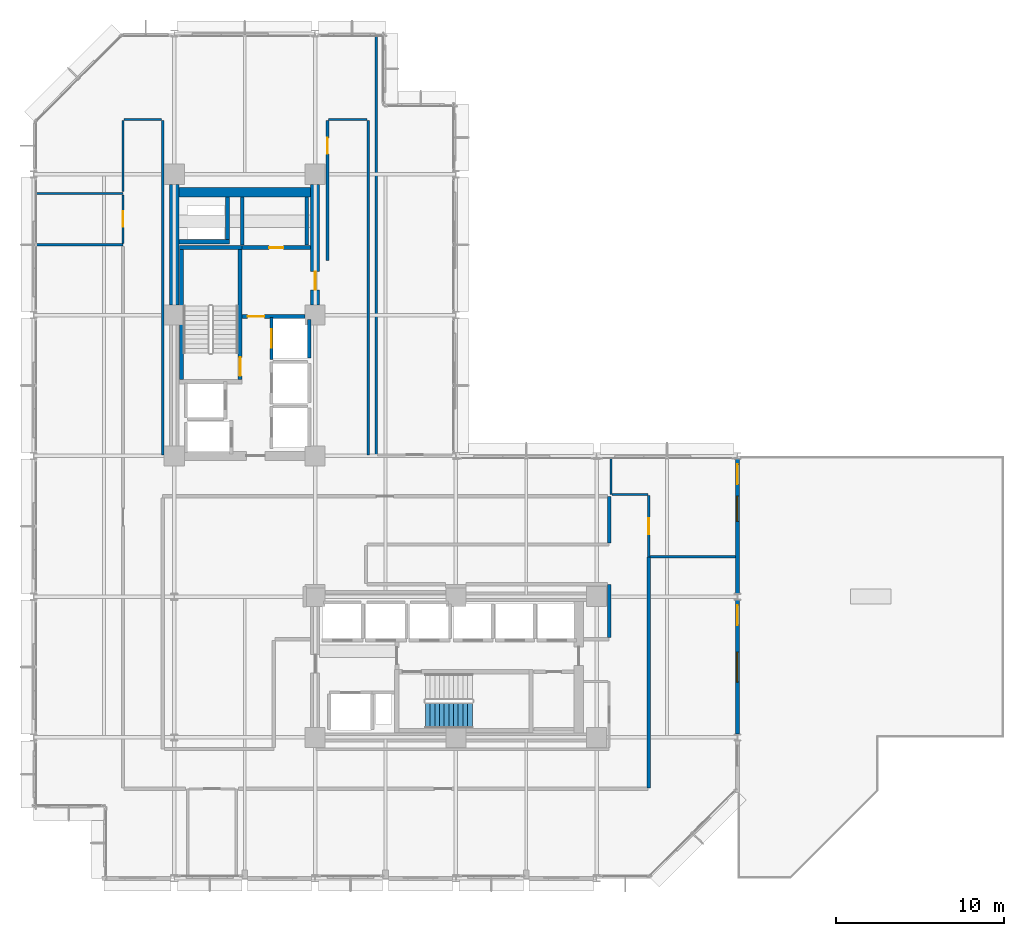
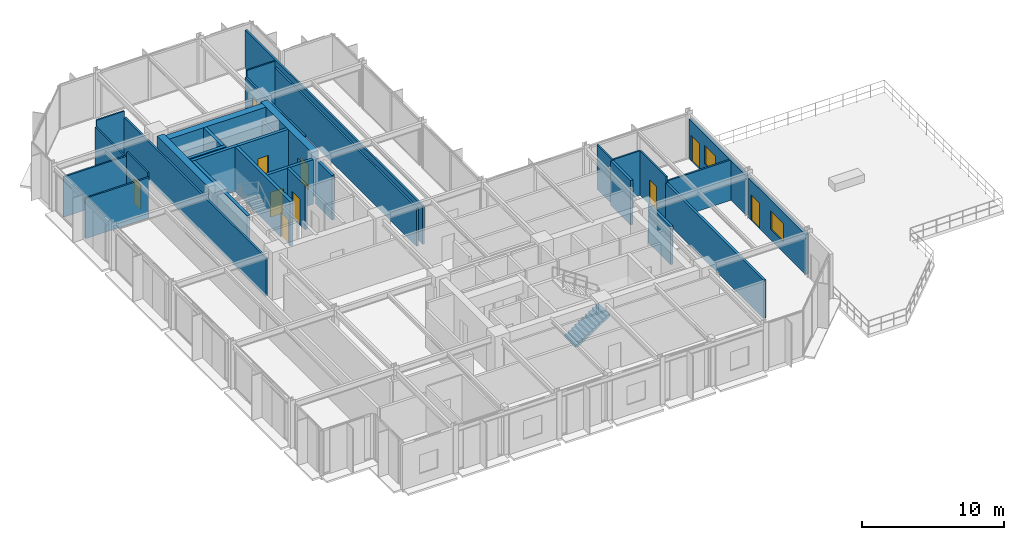
# One storey, part 20 of 25: 33 walls, 10 doors, 2 windows, 1 stair flight, 12 openings, 1 element without a shape of its own.
"""IFC4 building model written with IfcOpenShell, lengths in metres."""

from ifc_helpers import new_model, si_unit, direction, frame, frame_2d, origin, place, context, subcontext, project, spatial, polyline, rectangle, outline, extrude, material, layer, layer_set, type_object, element, fill, aggregate, save


model = new_model("IFC4")

# Units and contexts
model_context = context("Model", 3, precision=1e-05, world=origin(), true_north=direction((0.0, 1.0)))
body_context = subcontext(model_context, "Body", "Model", "MODEL_VIEW")
ifc_project = project(units=[si_unit("LENGTHUNIT", "METRE"), si_unit("AREAUNIT", "SQUARE_METRE"), si_unit("VOLUMEUNIT", "CUBIC_METRE"), si_unit("PLANEANGLEUNIT", "RADIAN"), si_unit("MASSUNIT", "GRAM", prefix="KILO")], contexts=[model_context])

# Site, building, storey
site_placement = place(None, origin())
site = spatial("IfcSite", under=ifc_project, at=site_placement, CompositionType="ELEMENT")
building_placement = place(site_placement, origin())
building = spatial("IfcBuilding", under=site, at=building_placement, Name="Nerrivon Quay Data Exchange", CompositionType="ELEMENT")
storey_placement = place(building_placement, frame((0.0, 0.0, 113.10009765625)))
storey = spatial("IfcBuildingStorey", under=building, at=storey_placement, Name="L26", CompositionType="ELEMENT", Elevation=113.10009765625)

# Wall, openings, door, window
ifc_material_1 = material(Name="Architectural terracotta precast concrete N50 (50 MPa)", Category="masonry")
ifc_layer_1 = layer(ifc_material_1, 0.239990234375)
ifc_layer_set_1 = layer_set([ifc_layer_1], Name="Architectural terracotta precast concrete N50 (50 MPa)")
wall_type_1 = type_object("IfcWallType", Name="EW-PREC-240", PredefinedType="STANDARD", material=ifc_layer_set_1)
wall_1_placement = place(storey_placement, frame((42.0, 25.0, 0.0), z_axis=(0.0, 0.0, 1.0), x_axis=(0.0, -1.0, 0.0)))
wall_1 = element("IfcWall", 1, at=wall_1_placement, inside=storey, type_object=wall_type_1, Name="L26 Terrace Host Wall 29", PredefinedType="STANDARD", context=body_context, shape_type="SweptSolid", body=[
    extrude(rectangle(XDim=8.0, YDim=0.239990234375, at=frame_2d((4.0, 0.0))), origin(), (0.0, 0.0, 1.0), 3.421875),
])
opening_1_placement = place(wall_1_placement, frame((0.300048828125, 0.0, 0.0)))
opening_1 = element("IfcOpeningElement", 2, at=opening_1_placement, cuts=wall_1, Name="Opening TD1", PredefinedType="OPENING", context=body_context, shape_type="SweptSolid", body=[
    extrude(rectangle(XDim=1.199951171875, YDim=2.199951171875, at=frame_2d((0.60009765625, 1.10009765625))), frame((0.0, 0.1298828125, 0.0), z_axis=(0.0, -1.0, 0.0), x_axis=(1.0, 0.0, 0.0)), (0.0, 0.0, 1.0), 0.260009765625),
])
opening_2_placement = place(wall_1_placement, frame((2.20703125, 0.0, 0.89990234375)))
opening_2 = element("IfcOpeningElement", 3, at=opening_2_placement, cuts=wall_1, Name="Opening WN4", PredefinedType="OPENING", context=body_context, shape_type="SweptSolid", body=[
    extrude(rectangle(XDim=1.5, YDim=1.60009765625, at=frame_2d((0.75, 0.800048828125))), frame((0.0, 0.1298828125, 0.0), z_axis=(0.0, -1.0, 0.0), x_axis=(1.0, 0.0, 0.0)), (0.0, 0.0, 1.0), 0.260009765625),
])
ifc_material_2 = material(Name="Double-glazed low-E solar control glass", Category="glass")
door_type_1 = type_object("IfcDoorType", Name="DR-TERR-1200x2200", OperationType="NOTDEFINED", PredefinedType="DOOR", material=ifc_material_2)
door_1_placement = place(opening_1_placement, origin())
door_1 = element("IfcDoor", 4, at=door_1_placement, inside=storey, type_object=door_type_1, Name="L26 Outdoor Terrace Access Door 29", OperationType="SINGLE_SWING_RIGHT", OverallHeight=2.199951171875, OverallWidth=1.199951171875, PredefinedType="DOOR", context=body_context, shape_type="SweptSolid", body=[
    extrude(rectangle(XDim=1.199951171875, YDim=2.199951171875, at=frame_2d((0.60009765625, 1.10009765625))), frame((0.0, 0.02490234375, 0.0), z_axis=(0.0, -1.0, 0.0), x_axis=(1.0, 0.0, 0.0)), (0.0, 0.0, 1.0), 0.050048828125),
])
fill(opening_1, door_1)
window_type_1 = type_object("IfcWindowType", Name="WIN-W4-1500x1600", PartitioningType="SINGLE_PANEL", PredefinedType="WINDOW", material=ifc_material_2)
window_1_placement = place(opening_2_placement, origin())
window_1 = element("IfcWindow", 5, at=window_1_placement, inside=storey, type_object=window_type_1, Name="L26 Terrace Side Window 29", OverallHeight=1.60009765625, OverallWidth=1.5, PartitioningType="SINGLE_PANEL", PredefinedType="WINDOW", context=body_context, shape_type="SweptSolid", body=[
    extrude(rectangle(XDim=1.5, YDim=1.60009765625, at=frame_2d((0.75, 0.800048828125))), frame((0.0, 0.030029296875, 0.0), z_axis=(0.0, -1.0, 0.0), x_axis=(1.0, 0.0, 0.0)), (0.0, 0.0, 1.0), 0.06005859375),
])
fill(opening_2, window_1)

wall_2_placement = place(storey_placement, frame((42.0, 16.60009765625, 0.0), z_axis=(0.0, 0.0, 1.0), x_axis=(0.0, -1.0, 0.0)))
wall_2 = element("IfcWall", 6, at=wall_2_placement, inside=storey, type_object=wall_type_1, Name="L26 Terrace Host Wall 30", PredefinedType="STANDARD", context=body_context, shape_type="SweptSolid", body=[
    extrude(rectangle(XDim=8.0, YDim=0.239990234375, at=frame_2d((4.0, 0.0))), origin(), (0.0, 0.0, 1.0), 3.421875),
])
opening_3_placement = place(wall_2_placement, frame((0.300048828125, 0.0, 0.0)))
opening_3 = element("IfcOpeningElement", 7, at=opening_3_placement, cuts=wall_2, Name="Opening TD1", PredefinedType="OPENING", context=body_context, shape_type="SweptSolid", body=[
    extrude(rectangle(XDim=1.199951171875, YDim=2.199951171875, at=frame_2d((0.60009765625, 1.10009765625))), frame((0.0, 0.1298828125, 0.0), z_axis=(0.0, -1.0, 0.0), x_axis=(1.0, 0.0, 0.0)), (0.0, 0.0, 1.0), 0.260009765625),
])
opening_4_placement = place(wall_2_placement, frame((3.10009765625, 0.0, 0.89990234375)))
opening_4 = element("IfcOpeningElement", 8, at=opening_4_placement, cuts=wall_2, Name="Opening WN2", PredefinedType="OPENING", context=body_context, shape_type="SweptSolid", body=[
    extrude(rectangle(XDim=1.800048828125, YDim=1.60009765625, at=frame_2d((0.89990234375, 0.800048828125))), frame((0.0, 0.1298828125, 0.0), z_axis=(0.0, -1.0, 0.0), x_axis=(1.0, 0.0, 0.0)), (0.0, 0.0, 1.0), 0.260009765625),
])
door_2_placement = place(opening_3_placement, origin())
door_2 = element("IfcDoor", 9, at=door_2_placement, inside=storey, type_object=door_type_1, Name="L26 Outdoor Terrace Access Door 30", OperationType="SINGLE_SWING_LEFT", OverallHeight=2.199951171875, OverallWidth=1.199951171875, PredefinedType="DOOR", context=body_context, shape_type="SweptSolid", body=[
    extrude(rectangle(XDim=1.199951171875, YDim=2.199951171875, at=frame_2d((0.60009765625, 1.10009765625))), frame((0.0, 0.02490234375, 0.0), z_axis=(0.0, -1.0, 0.0), x_axis=(1.0, 0.0, 0.0)), (0.0, 0.0, 1.0), 0.050048828125),
])
fill(opening_3, door_2)
window_type_2 = type_object("IfcWindowType", Name="WIN-W2-1800x1600", PartitioningType="SINGLE_PANEL", PredefinedType="WINDOW", material=ifc_material_2)
window_2_placement = place(opening_4_placement, origin())
window_2 = element("IfcWindow", 10, at=window_2_placement, inside=storey, type_object=window_type_2, Name="L26 Terrace Side Window 30", OverallHeight=1.60009765625, OverallWidth=1.800048828125, PartitioningType="SINGLE_PANEL", PredefinedType="WINDOW", context=body_context, shape_type="SweptSolid", body=[
    extrude(rectangle(XDim=1.800048828125, YDim=1.60009765625, at=frame_2d((0.89990234375, 0.800048828125))), frame((0.0, 0.030029296875, 0.0), z_axis=(0.0, -1.0, 0.0), x_axis=(1.0, 0.0, 0.0)), (0.0, 0.0, 1.0), 0.06005859375),
])
fill(opening_4, window_2)

# Walls
ifc_material_3 = material(Name="Concrete S65 (65 MPa)", Category="concrete")
ifc_layer_2 = layer(ifc_material_3, 0.550048828125)
ifc_layer_set_2 = layer_set([ifc_layer_2], Name="Concrete S65 (65 MPa)")
wall_type_2 = type_object("IfcWallType", Name="WALL-CW-700", PredefinedType="SHEAR", material=ifc_layer_set_2)
wall_3_placement = place(storey_placement, frame((8.39990234375, 34.199951171875, 0.0), z_axis=(0.0, 0.0, 1.0), x_axis=(0.0, 1.0, 0.0)))
element("IfcWall", 11, at=wall_3_placement, inside=storey, type_object=wall_type_2, Name="L26 West Split-Core Shear Wall WCW-W2", PredefinedType="SHEAR", context=body_context, shape_type="SweptSolid", body=[
    extrude(rectangle(XDim=7.199951171875, YDim=0.550048828125, at=frame_2d((3.60009765625, 0.0))), origin(), (0.0, 0.0, 1.0), 3.824951171875),
])
wall_4_placement = place(storey_placement, frame((8.675048828125, 40.925048828125, 0.0), z_axis=(0.0, 0.0, 1.0), x_axis=(1.0, 0.0, 0.0)))
element("IfcWall", 12, at=wall_4_placement, inside=storey, type_object=wall_type_2, Name="L26 West Split-Core Shear Wall WCW-N1", PredefinedType="SHEAR", context=body_context, shape_type="SweptSolid", body=[
    extrude(rectangle(XDim=7.849853515625, YDim=0.550048828125, at=frame_2d((3.9248046875, 0.0))), origin(), (0.0, 0.0, 1.0), 3.824951171875),
])

# Wall, opening, door
wall_5_placement = place(storey_placement, frame((16.800048828125, 34.199951171875, 0.0), z_axis=(0.0, 0.0, 1.0), x_axis=(0.0, 1.0, 0.0)))
wall_5 = element("IfcWall", 13, at=wall_5_placement, inside=storey, type_object=wall_type_2, Name="L26 West Split-Core Shear Wall WCW-E1", PredefinedType="SHEAR", context=body_context, shape_type="SweptSolid", body=[
    extrude(rectangle(XDim=7.199951171875, YDim=0.550048828125, at=frame_2d((3.60009765625, 0.0))), origin(), (0.0, 0.0, 1.0), 3.824951171875),
])
opening_5_placement = place(wall_5_placement, frame((0.89990234375, 0.0, 0.0)))
opening_5 = element("IfcOpeningElement", 14, at=opening_5_placement, cuts=wall_5, Name="Opening FD-120", PredefinedType="OPENING", context=body_context, shape_type="SweptSolid", body=[
    extrude(rectangle(XDim=1.10009765625, YDim=2.14990234375, at=frame_2d((0.550048828125, 1.074951171875))), frame((0.0, 0.284912109375, 0.0), z_axis=(0.0, -1.0, 0.0), x_axis=(1.0, 0.0, 0.0)), (0.0, 0.0, 1.0), 0.570068359375),
])
ifc_material_4 = material(Name="Powder-coated galvanized steel sheet", Category="steel")
door_type_2 = type_object("IfcDoorType", Name="DR-FD120-1100", OperationType="NOTDEFINED", PredefinedType="DOOR", material=ifc_material_4)
door_3_placement = place(opening_5_placement, origin())
door_3 = element("IfcDoor", 15, at=door_3_placement, inside=storey, type_object=door_type_2, Name="L26 West Core Lobby Fire Door", OperationType="SINGLE_SWING_LEFT", OverallHeight=2.14990234375, OverallWidth=1.10009765625, PredefinedType="DOOR", context=body_context, shape_type="SweptSolid", body=[
    extrude(rectangle(XDim=1.10009765625, YDim=2.14990234375, at=frame_2d((0.550048828125, 1.074951171875))), frame((0.0, 0.02490234375, 0.0), z_axis=(0.0, -1.0, 0.0), x_axis=(1.0, 0.0, 0.0)), (0.0, 0.0, 1.0), 0.050048828125),
])
fill(opening_5, door_3)

ifc_material_5 = material(Name="Gypsum plasterboard on cold-formed framing", Category="gypsum")
ifc_layer_3 = layer(ifc_material_5, 0.199951171875)
ifc_layer_set_3 = layer_set([ifc_layer_3], Name="Gypsum plasterboard on cold-formed framing")
wall_type_3 = type_object("IfcWallType", Name="WALL-FW-200", PredefinedType="PARTITIONING", material=ifc_layer_set_3)
wall_6_placement = place(storey_placement, frame((14.199951171875, 30.949951171875, 0.0), z_axis=(0.0, 0.0, 1.0), x_axis=(0.0, 1.0, 0.0)))
wall_6 = element("IfcWall", 16, at=wall_6_placement, inside=storey, type_object=wall_type_3, Name="L26 Lift Front Wall PL3", PredefinedType="PARTITIONING", context=body_context, shape_type="SweptSolid", body=[
    extrude(rectangle(XDim=2.5, YDim=0.199951171875, at=frame_2d((1.25, 0.0))), origin(), (0.0, 0.0, 1.0), 3.824951171875),
])
opening_6_placement = place(wall_6_placement, frame((0.699951171875, 0.0, 0.0)))
opening_6 = element("IfcOpeningElement", 17, at=opening_6_placement, cuts=wall_6, Name="Opening LD-120", PredefinedType="OPENING", context=body_context, shape_type="SweptSolid", body=[
    extrude(rectangle(XDim=1.10009765625, YDim=2.199951171875, at=frame_2d((0.550048828125, 1.10009765625))), frame((0.0, 0.10986328125, 0.0), z_axis=(0.0, -1.0, 0.0), x_axis=(1.0, 0.0, 0.0)), (0.0, 0.0, 1.0), 0.219970703125),
])
door_type_3 = type_object("IfcDoorType", Name="DR-LIFT-LD120", OperationType="DOUBLE_DOOR_SLIDING", PredefinedType="DOOR", material=ifc_material_4)
door_4_placement = place(opening_6_placement, origin())
door_4 = element("IfcDoor", 18, at=door_4_placement, inside=storey, type_object=door_type_3, Name="L26 Lift Landing Sliding Door PL3", OperationType="DOUBLE_DOOR_SLIDING", OverallHeight=2.199951171875, OverallWidth=1.10009765625, PredefinedType="DOOR", context=body_context, shape_type="SweptSolid", body=[
    extrude(rectangle(XDim=1.10009765625, YDim=2.199951171875, at=frame_2d((0.550048828125, 1.10009765625))), frame((0.0, 0.02490234375, 0.0), z_axis=(0.0, -1.0, 0.0), x_axis=(1.0, 0.0, 0.0)), (0.0, 0.0, 1.0), 0.050048828125),
])
fill(opening_6, door_4)

# Walls
wall_7_placement = place(storey_placement, frame((16.449951171875, 31.050048828125, 0.0), z_axis=(0.0, 0.0, 1.0), x_axis=(0.0, 1.0, 0.0)))
element("IfcWall", 19, at=wall_7_placement, inside=storey, type_object=wall_type_3, Name="L26 Lift Shaft Wall PL3 EAST", PredefinedType="PARTITIONING", context=body_context, shape_type="SweptSolid", body=[
    extrude(rectangle(XDim=2.300048828125, YDim=0.199951171875, at=frame_2d((1.14990234375, 0.0))), origin(), (0.0, 0.0, 1.0), 3.824951171875),
])
for number, where, z_axis, x_axis, name in (
    (20, (16.300048828125, 37.780029296875, 0.0), (0.0, 0.0, 1.0), (0.0, 1.0, 0.0), "L26 Partition Cleaners Store"),
    (21, (12.449951171875, 40.64599609375, 0.0), (0.0, 0.0, 1.0), (0.0, -1.0, 0.0), "L26 Partition Cleaners Store"),
):
    element("IfcWall", number, at=place(storey_placement, frame(where, z_axis=z_axis, x_axis=x_axis)), inside=storey, type_object=wall_type_3, Name=name, PredefinedType="PARTITIONING", context=body_context, shape_type="SweptSolid", body=[
        extrude(rectangle(XDim=2.865966796875, YDim=0.199951171875, at=frame_2d((1.43310546875, 0.0))), origin(), (0.0, 0.0, 1.0), 2.724853515625),
    ])
wall_8_placement = place(storey_placement, frame((34.340087890625, 14.364013671875, 0.0), z_axis=(0.0, 0.0, 1.0), x_axis=(0.0, 1.0, 0.0)))
element("IfcWall", 22, at=wall_8_placement, inside=storey, type_object=wall_type_3, Name="L26 Partition Colocation Data Workspace 1", PredefinedType="PARTITIONING", context=body_context, shape_type="SweptSolid", body=[
    extrude(rectangle(XDim=3.176025390625, YDim=0.199951171875, at=frame_2d((1.587890625, 0.0))), origin(), (0.0, 0.0, 1.0), 3.2919921875),
])
wall_9_placement = place(storey_placement, frame((34.340087890625, 20.013916015625, 0.0), z_axis=(0.0, 0.0, 1.0), x_axis=(0.0, 1.0, 0.0)))
element("IfcWall", 23, at=wall_9_placement, inside=storey, type_object=wall_type_3, Name="L26 Partition Colocation Data Workspace 1", PredefinedType="PARTITIONING", context=body_context, shape_type="SweptSolid", body=[
    extrude(rectangle(XDim=2.776123046875, YDim=0.199951171875, at=frame_2d((1.38818359375, 0.0))), origin(), (0.0, 0.0, 1.0), 3.824951171875),
])
wall_10_placement = place(storey_placement, frame((36.7099609375, 19.156005859375, 0.0), z_axis=(0.0, 0.0, 1.0), x_axis=(0.0, -1.0, 0.0)))
element("IfcWall", 24, at=wall_10_placement, inside=storey, type_object=wall_type_3, Name="L26 Partition Sky Lobby Transfer Concourse", PredefinedType="PARTITIONING", context=body_context, shape_type="SweptSolid", body=[
    extrude(rectangle(XDim=13.756103515625, YDim=0.199951171875, at=frame_2d((6.8779296875, 0.0))), origin(), (0.0, 0.0, 1.0), 3.2919921875),
])

# Wall, opening, door
ifc_layer_4 = layer(ifc_material_5, 0.1201171875)
ifc_layer_set_4 = layer_set([ifc_layer_4], Name="Gypsum plasterboard on cold-formed framing")
wall_type_4 = type_object("IfcWallType", Name="WALL-PT-120", PredefinedType="PARTITIONING", material=ifc_layer_set_4)
wall_11_placement = place(storey_placement, frame((5.340087890625, 37.87158203125, 0.0), z_axis=(0.0, 0.0, 1.0), x_axis=(0.0, 1.0, 0.0)))
wall_11 = element("IfcWall", 25, at=wall_11_placement, inside=storey, type_object=wall_type_4, Name="L26 Partition Accessible Toilet", PredefinedType="PARTITIONING", context=body_context, shape_type="SweptSolid", body=[
    extrude(rectangle(XDim=2.906982421875, YDim=0.1201171875, at=frame_2d((1.45361328125, 0.0))), origin(), (0.0, 0.0, 1.0), 3.824951171875),
])
opening_7_placement = place(wall_11_placement, frame((0.993408203125, 0.0, 0.0)))
opening_7 = element("IfcOpeningElement", 26, at=opening_7_placement, cuts=wall_11, Name="Opening D-WC", PredefinedType="OPENING", context=body_context, shape_type="SweptSolid", body=[
    extrude(rectangle(XDim=0.919921875, YDim=2.10009765625, at=frame_2d((0.4599609375, 1.050048828125))), frame((0.0, 0.070068359375, 0.0), z_axis=(0.0, -1.0, 0.0), x_axis=(1.0, 0.0, 0.0)), (0.0, 0.0, 1.0), 0.14013671875),
])
ifc_material_6 = material(Name="Engineered hardwood timber", Category="wood")
door_type_4 = type_object("IfcDoorType", Name="DR-WC-920", OperationType="NOTDEFINED", PredefinedType="DOOR", material=ifc_material_6)
door_5_placement = place(opening_7_placement, origin())
door_5 = element("IfcDoor", 27, at=door_5_placement, inside=storey, type_object=door_type_4, Name="L26 Door Accessible Toilet", OperationType="SINGLE_SWING_LEFT", OverallHeight=2.10009765625, OverallWidth=0.919921875, PredefinedType="DOOR", context=body_context, shape_type="SweptSolid", body=[
    extrude(rectangle(XDim=0.919921875, YDim=2.10009765625, at=frame_2d((0.4599609375, 1.050048828125))), frame((0.0, 0.02490234375, 0.0), z_axis=(0.0, -1.0, 0.0), x_axis=(1.0, 0.0, 0.0)), (0.0, 0.0, 1.0), 0.050048828125),
])
fill(opening_7, door_5)

# Walls
wall_12_placement = place(storey_placement, frame((34.4599609375, 25.031005859375, 0.0), z_axis=(0.0, 0.0, 1.0), x_axis=(0.0, -1.0, 0.0)))
element("IfcWall", 28, at=wall_12_placement, inside=storey, type_object=wall_type_4, Name="L26 Partition Staff Bistro", PredefinedType="PARTITIONING", context=body_context, shape_type="SweptSolid", body=[
    extrude(rectangle(XDim=2.12109375, YDim=0.1201171875, at=frame_2d((1.060546875, 0.0))), origin(), (0.0, 0.0, 1.0), 3.824951171875),
])
wall_13_placement = place(storey_placement, frame((34.52392578125, 22.909912109375, 0.0), z_axis=(0.0, 0.0, 1.0), x_axis=(1.0, 0.0, 0.0)))
element("IfcWall", 29, at=wall_13_placement, inside=storey, type_object=wall_type_4, Name="L26 Partition Staff Bistro", PredefinedType="PARTITIONING", context=body_context, shape_type="SweptSolid", body=[
    extrude(rectangle(XDim=2.1259765625, YDim=0.1201171875, at=frame_2d((1.06298828125, 0.0))), origin(), (0.0, 0.0, 1.0), 3.824951171875),
])
wall_14_placement = place(storey_placement, frame((5.39990234375, 45.260009765625, 0.0), z_axis=(0.0, 0.0, 1.0), x_axis=(1.0, 0.0, 0.0)))
element("IfcWall", 30, at=wall_14_placement, inside=storey, type_object=wall_type_4, Name="L26 Partition Technical Library", PredefinedType="PARTITIONING", context=body_context, shape_type="SweptSolid", body=[
    extrude(rectangle(XDim=2.25, YDim=0.1201171875, at=frame_2d((1.125, 0.0))), origin(), (0.0, 0.0, 1.0), 3.824951171875),
])
wall_15_placement = place(storey_placement, frame((17.60009765625, 45.260009765625, 0.0), z_axis=(0.0, 0.0, 1.0), x_axis=(0.999999994395, -0.000105876124, 0.0)))
element("IfcWall", 31, at=wall_15_placement, inside=storey, type_object=wall_type_4, Name="L26 Partition Technical Library", PredefinedType="PARTITIONING", context=body_context, shape_type="SweptSolid", body=[
    extrude(rectangle(XDim=2.305908203125, YDim=0.1201171875, at=frame_2d((1.15283203125, 0.0))), origin(), (0.0, 0.0, 1.0), 3.824951171875),
])
ifc_layer_5 = layer(ifc_material_5, 0.135009765625)
ifc_layer_set_5 = layer_set([ifc_layer_5], Name="Gypsum plasterboard on cold-formed framing")
wall_type_5 = type_object("IfcWallType", Name="WALL-PT-135", PredefinedType="PARTITIONING", material=ifc_layer_set_5)
for number, where, z_axis, x_axis, name in (
    (32, (5.340087890625, 40.85009765625, 0.0), (0.0, 0.0, 1.0), (-1.0, 0.0, 0.0), "L26 Partition Accessible Toilet"),
    (33, (0.1689453125, 37.800048828125, 0.0), (0.0, 0.0, 1.0), (1.0, 0.0, 0.0), "L26 Partition Accessible Toilet"),
):
    element("IfcWall", number, at=place(storey_placement, frame(where, z_axis=z_axis, x_axis=x_axis)), inside=storey, type_object=wall_type_5, Name=name, PredefinedType="PARTITIONING", context=body_context, shape_type="SweptSolid", body=[
        extrude(rectangle(XDim=5.171142578125, YDim=0.135009765625, at=frame_2d((2.58544921875, 0.0))), origin(), (0.0, 0.0, 1.0), 3.468994140625),
    ])

# Wall, opening, door
wall_16_placement = place(storey_placement, frame((36.7099609375, 22.85009765625, 0.0), z_axis=(0.0, 0.0, 1.0), x_axis=(0.0, -1.0, 0.0)))
wall_16 = element("IfcWall", 34, at=wall_16_placement, inside=storey, type_object=wall_type_5, Name="L26 Partition Staff Bistro", PredefinedType="PARTITIONING", context=body_context, shape_type="SweptSolid", body=[
    extrude(rectangle(XDim=3.674072265625, YDim=0.135009765625, at=frame_2d((1.8369140625, 0.0))), origin(), (0.0, 0.0, 1.0), 3.824951171875),
])
opening_8_placement = place(wall_16_placement, frame((1.362060546875, 0.0, 0.0)))
opening_8 = element("IfcOpeningElement", 35, at=opening_8_placement, cuts=wall_16, Name="Opening D-01", PredefinedType="OPENING", context=body_context, shape_type="SweptSolid", body=[
    extrude(rectangle(XDim=0.949951171875, YDim=2.14990234375, at=frame_2d((0.47509765625, 1.074951171875))), frame((0.0, 0.077392578125, 0.0), z_axis=(0.0, -1.0, 0.0), x_axis=(1.0, 0.0, 0.0)), (0.0, 0.0, 1.0), 0.155029296875),
])
door_type_5 = type_object("IfcDoorType", Name="DR-INT-950", OperationType="NOTDEFINED", PredefinedType="DOOR", material=ifc_material_6)
door_6_placement = place(opening_8_placement, origin())
door_6 = element("IfcDoor", 36, at=door_6_placement, inside=storey, type_object=door_type_5, Name="L26 Door Staff Bistro", OperationType="SINGLE_SWING_RIGHT", OverallHeight=2.14990234375, OverallWidth=0.949951171875, PredefinedType="DOOR", context=body_context, shape_type="SweptSolid", body=[
    extrude(rectangle(XDim=0.949951171875, YDim=2.14990234375, at=frame_2d((0.47509765625, 1.074951171875))), frame((0.0, 0.02490234375, 0.0), z_axis=(0.0, -1.0, 0.0), x_axis=(1.0, 0.0, 0.0)), (0.0, 0.0, 1.0), 0.050048828125),
])
fill(opening_8, door_6)

# Walls
wall_17_placement = place(storey_placement, frame((36.781494140625, 19.176025390625, 0.0), z_axis=(0.0, 0.0, 1.0), x_axis=(1.0, 0.0, 0.0)))
element("IfcWall", 37, at=wall_17_placement, inside=storey, type_object=wall_type_5, Name="L26 Partition Staff Bistro", PredefinedType="PARTITIONING", context=body_context, shape_type="SweptSolid", body=[
    extrude(rectangle(XDim=5.094482421875, YDim=0.135009765625, at=frame_2d((2.54736328125, 0.0))), origin(), (0.0, 0.0, 1.0), 3.468994140625),
])
wall_18_placement = place(storey_placement, frame((5.340087890625, 40.969970703125, 0.0), z_axis=(0.0, 0.0, 1.0), x_axis=(0.0, 1.0, 0.0)))
element("IfcWall", 38, at=wall_18_placement, inside=storey, type_object=wall_type_5, Name="L26 Partition Technical Library", PredefinedType="PARTITIONING", context=body_context, shape_type="SweptSolid", body=[
    extrude(rectangle(XDim=4.22998046875, YDim=0.135009765625, at=frame_2d((2.114990234375, 0.0))), origin(), (0.0, 0.0, 1.0), 3.2919921875),
])
ifc_layer_6 = layer(ifc_material_5, 0.14990234375)
ifc_layer_set_6 = layer_set([ifc_layer_6], Name="Gypsum plasterboard on cold-formed framing")
wall_type_6 = type_object("IfcWallType", Name="WALL-PT-150", PredefinedType="PARTITIONING", material=ifc_layer_set_6)
wall_19_placement = place(storey_placement, frame((20.451171875, 50.23095703125, 0.0), z_axis=(0.0, 0.0, 1.0), x_axis=(0.0, -1.0, 0.0)))
element("IfcWall", 39, at=wall_19_placement, inside=storey, type_object=wall_type_6, Name="L26 Partition Staff Bistro", PredefinedType="PARTITIONING", context=body_context, shape_type="SweptSolid", body=[
    extrude(rectangle(XDim=24.970947265625, YDim=0.14990234375, at=frame_2d((12.4853515625, 0.0))), origin(), (0.0, 0.0, 1.0), 3.2919921875),
])
for number, where, z_axis, x_axis, name in (
    (40, (19.9599609375, 45.199951171875, 0.0), (0.0, 0.0, 1.0), (0.0, -1.0, 0.0), "L26 Partition Technical Library"),
    (41, (7.7099609375, 45.199951171875, 0.0), (0.0, 0.0, 1.0), (0.0, -1.0, 0.0), "L26 Partition Technical Library"),
):
    element("IfcWall", number, at=place(storey_placement, frame(where, z_axis=z_axis, x_axis=x_axis)), inside=storey, type_object=wall_type_6, Name=name, PredefinedType="PARTITIONING", context=body_context, shape_type="SweptSolid", body=[
        extrude(rectangle(XDim=19.93994140625, YDim=0.14990234375, at=frame_2d((9.969970703125, 0.0))), origin(), (0.0, 0.0, 1.0), 3.2919921875),
    ])

# Wall, opening, door
wall_20_placement = place(storey_placement, frame((17.5400390625, 36.860107421875, 0.0), z_axis=(0.0, 0.0, 1.0), x_axis=(0.0, 1.0, 0.0)))
wall_20 = element("IfcWall", 42, at=wall_20_placement, inside=storey, type_object=wall_type_6, Name="L26 Partition Technical Library", PredefinedType="PARTITIONING", context=body_context, shape_type="SweptSolid", body=[
    extrude(rectangle(XDim=8.33984375, YDim=0.14990234375, at=frame_2d((4.169921875, 0.0))), origin(), (0.0, 0.0, 1.0), 3.2919921875),
])
opening_9_placement = place(wall_20_placement, frame((6.36376953125, 0.0, 0.0)))
opening_9 = element("IfcOpeningElement", 43, at=opening_9_placement, cuts=wall_20, Name="Opening D-01", PredefinedType="OPENING", context=body_context, shape_type="SweptSolid", body=[
    extrude(rectangle(XDim=0.949951171875, YDim=2.14990234375, at=frame_2d((0.47509765625, 1.074951171875))), frame((0.0, 0.0849609375, 0.0), z_axis=(0.0, -1.0, 0.0), x_axis=(1.0, 0.0, 0.0)), (0.0, 0.0, 1.0), 0.169921875),
])
door_7_placement = place(opening_9_placement, origin())
door_7 = element("IfcDoor", 44, at=door_7_placement, inside=storey, type_object=door_type_5, Name="L26 Door Technical Library", OperationType="SINGLE_SWING_RIGHT", OverallHeight=2.14990234375, OverallWidth=0.949951171875, PredefinedType="DOOR", context=body_context, shape_type="SweptSolid", body=[
    extrude(rectangle(XDim=0.949951171875, YDim=2.14990234375, at=frame_2d((0.47509765625, 1.074951171875))), frame((0.0, 0.02490234375, 0.0), z_axis=(0.0, -1.0, 0.0), x_axis=(1.0, 0.0, 0.0)), (0.0, 0.0, 1.0), 0.050048828125),
])
fill(opening_9, door_7)

# Wall
ifc_material_7 = material(Name="Concrete N50 (50 MPa)", Category="concrete")
ifc_layer_7 = layer(ifc_material_7, 0.25)
ifc_layer_set_7 = layer_set([ifc_layer_7], Name="Concrete N50 (50 MPa)")
wall_type_7 = type_object("IfcWallType", Name="WALL-SW-250", PredefinedType="SHEAR", material=ifc_layer_set_7)
wall_21_placement = place(storey_placement, frame((12.449951171875, 37.625, 0.0), z_axis=(0.0, 0.0, 1.0), x_axis=(-1.0, 0.0, 0.0)))
element("IfcWall", 45, at=wall_21_placement, inside=storey, type_object=wall_type_7, Name="L26 ST01 Structural Stair Core Wall FAR", PredefinedType="SHEAR", context=body_context, shape_type="SweptSolid", body=[
    extrude(rectangle(XDim=3.75, YDim=0.25, at=frame_2d((1.875, 0.0))), origin(), (0.0, 0.0, 1.0), 3.824951171875),
])

# Wall, opening, door
wall_22_placement = place(storey_placement, frame((12.324951171875, 29.75, 0.0), z_axis=(0.0, 0.0, 1.0), x_axis=(0.0, 1.0, 0.0)))
wall_22 = element("IfcWall", 46, at=wall_22_placement, inside=storey, type_object=wall_type_7, Name="L26 ST01 Structural Stair Core Wall LEFT", PredefinedType="SHEAR", context=body_context, shape_type="SweptSolid", body=[
    extrude(rectangle(XDim=7.75, YDim=0.25, at=frame_2d((3.875, 0.0))), origin(), (0.0, 0.0, 1.0), 3.824951171875),
])
opening_10_placement = place(wall_22_placement, frame((0.219970703125, 0.0, 0.0)))
opening_10 = element("IfcOpeningElement", 47, at=opening_10_placement, cuts=wall_22, Name="Opening FD-120", PredefinedType="OPENING", context=body_context, shape_type="SweptSolid", body=[
    extrude(rectangle(XDim=1.10009765625, YDim=2.14990234375, at=frame_2d((0.550048828125, 1.074951171875))), frame((0.0, 0.135009765625, 0.0), z_axis=(0.0, -1.0, 0.0), x_axis=(1.0, 0.0, 0.0)), (0.0, 0.0, 1.0), 0.27001953125),
])
door_8_placement = place(opening_10_placement, origin())
door_8 = element("IfcDoor", 48, at=door_8_placement, inside=storey, type_object=door_type_2, Name="L26 Protected Stair Door ST01", OperationType="SINGLE_SWING_LEFT", OverallHeight=2.14990234375, OverallWidth=1.10009765625, PredefinedType="DOOR", context=body_context, shape_type="SweptSolid", body=[
    extrude(rectangle(XDim=1.10009765625, YDim=2.14990234375, at=frame_2d((0.550048828125, 1.074951171875))), frame((0.0, 0.02490234375, 0.0), z_axis=(0.0, -1.0, 0.0), x_axis=(1.0, 0.0, 0.0)), (0.0, 0.0, 1.0), 0.050048828125),
])
fill(opening_10, door_8)

# Walls
wall_23_placement = place(storey_placement, frame((8.824951171875, 29.75, 0.0), z_axis=(0.0, 0.0, 1.0), x_axis=(0.0, 1.0, 0.0)))
element("IfcWall", 49, at=wall_23_placement, inside=storey, type_object=wall_type_7, Name="L26 ST01 Structural Stair Core Wall RIGHT", PredefinedType="SHEAR", context=body_context, shape_type="SweptSolid", body=[
    extrude(rectangle(XDim=7.75, YDim=0.25, at=frame_2d((3.875, 0.0))), origin(), (0.0, 0.0, 1.0), 3.824951171875),
])
wall_24_placement = place(storey_placement, frame((8.675048828125, 37.97509765625, 0.0), z_axis=(0.0, 0.0, 1.0), x_axis=(1.0, 0.0, 0.0)))
element("IfcWall", 50, at=wall_24_placement, inside=storey, type_object=wall_type_7, Name="L26 West Core MEP Riser Shaft Wall S", PredefinedType="SHEAR", context=body_context, shape_type="SweptSolid", body=[
    extrude(rectangle(XDim=3.02490234375, YDim=0.25, at=frame_2d((1.512451171875, 0.0))), origin(), (0.0, 0.0, 1.0), 3.824951171875),
])
wall_25_placement = place(storey_placement, frame((11.574951171875, 38.10009765625, 0.0), z_axis=(0.0, 0.0, 1.0), x_axis=(0.0, 1.0, 0.0)))
element("IfcWall", 51, at=wall_25_placement, inside=storey, type_object=wall_type_7, Name="L26 West Core MEP Riser Shaft Wall E", PredefinedType="SHEAR", context=body_context, shape_type="SweptSolid", body=[
    extrude(rectangle(XDim=2.5498046875, YDim=0.25, at=frame_2d((1.27490234375, 0.0))), origin(), (0.0, 0.0, 1.0), 3.824951171875),
])

# Wall, opening, door
wall_26_placement = place(storey_placement, frame((12.449951171875, 33.52001953125, 0.0), z_axis=(0.0, 0.0, 1.0), x_axis=(1.0, 0.0, 0.0)))
wall_26 = element("IfcWall", 52, at=wall_26_placement, inside=storey, type_object=wall_type_7, Name="L26 West Lobby Smoke-Stop Wall", PredefinedType="SHEAR", context=body_context, shape_type="SweptSolid", body=[
    extrude(rectangle(XDim=3.75, YDim=0.25, at=frame_2d((1.875, 0.0))), origin(), (0.0, 0.0, 1.0), 3.824951171875),
])
opening_11_placement = place(wall_26_placement, frame((0.320068359375, 0.0, 0.0)))
opening_11 = element("IfcOpeningElement", 53, at=opening_11_placement, cuts=wall_26, Name="Opening FD-60", PredefinedType="OPENING", context=body_context, shape_type="SweptSolid", body=[
    extrude(rectangle(XDim=1.0, YDim=2.14990234375, at=frame_2d((0.5, 1.074951171875))), frame((0.0, 0.135009765625, 0.0), z_axis=(0.0, -1.0, 0.0), x_axis=(1.0, 0.0, 0.0)), (0.0, 0.0, 1.0), 0.27001953125),
])
door_type_6 = type_object("IfcDoorType", Name="DR-FD60-1000", OperationType="NOTDEFINED", PredefinedType="DOOR", material=ifc_material_6)
door_9_placement = place(opening_11_placement, origin())
door_9 = element("IfcDoor", 54, at=door_9_placement, inside=storey, type_object=door_type_6, Name="L26 West Firefighting Lobby Fire Door", OperationType="SINGLE_SWING_LEFT", OverallHeight=2.14990234375, OverallWidth=1.0, PredefinedType="DOOR", context=body_context, shape_type="SweptSolid", body=[
    extrude(rectangle(XDim=1.0, YDim=2.14990234375, at=frame_2d((0.5, 1.074951171875))), frame((0.0, 0.02490234375, 0.0), z_axis=(0.0, -1.0, 0.0), x_axis=(1.0, 0.0, 0.0)), (0.0, 0.0, 1.0), 0.050048828125),
])
fill(opening_11, door_9)

wall_27_placement = place(storey_placement, frame((12.449951171875, 37.625, 0.0), z_axis=(0.0, 0.0, 1.0), x_axis=(1.0, 0.0, 0.0)))
wall_27 = element("IfcWall", 55, at=wall_27_placement, inside=storey, type_object=wall_type_7, Name="L26 West Firefighting Lobby Wall", PredefinedType="SHEAR", context=body_context, shape_type="SweptSolid", body=[
    extrude(rectangle(XDim=4.074951171875, YDim=0.25, at=frame_2d((2.03759765625, 0.0))), origin(), (0.0, 0.0, 1.0), 3.824951171875),
])
opening_12_placement = place(wall_27_placement, frame((1.612548828125, 0.0, 0.0)))
opening_12 = element("IfcOpeningElement", 56, at=opening_12_placement, cuts=wall_27, Name="Opening FD-60S", PredefinedType="OPENING", context=body_context, shape_type="SweptSolid", body=[
    extrude(rectangle(XDim=0.85009765625, YDim=2.14990234375, at=frame_2d((0.425048828125, 1.074951171875))), frame((0.0, 0.135009765625, 0.0), z_axis=(0.0, -1.0, 0.0), x_axis=(1.0, 0.0, 0.0)), (0.0, 0.0, 1.0), 0.27001953125),
])
door_type_7 = type_object("IfcDoorType", Name="DR-FD60-850", OperationType="NOTDEFINED", PredefinedType="DOOR", material=ifc_material_6)
door_10_placement = place(opening_12_placement, origin())
door_10 = element("IfcDoor", 57, at=door_10_placement, inside=storey, type_object=door_type_7, Name="L26 Door Cleaners Store", OperationType="SINGLE_SWING_LEFT", OverallHeight=2.14990234375, OverallWidth=0.85009765625, PredefinedType="DOOR", context=body_context, shape_type="SweptSolid", body=[
    extrude(rectangle(XDim=0.85009765625, YDim=2.14990234375, at=frame_2d((0.425048828125, 1.074951171875))), frame((0.0, 0.02490234375, 0.0), z_axis=(0.0, -1.0, 0.0), x_axis=(1.0, 0.0, 0.0)), (0.0, 0.0, 1.0), 0.050048828125),
])
fill(opening_12, door_10)

# Stair, stair flight
stair_type = type_object("IfcStairType", Name="STAIR-DOG-41", PredefinedType="HALF_TURN_STAIR", material=ifc_material_7)
stair_placement = place(storey_placement, origin())
stair = element("IfcStair", 58, at=stair_placement, inside=storey, type_object=stair_type, Name="L26 East Core Fire Stair ST02", PredefinedType="HALF_TURN_STAIR")
stair_flight_type = type_object("IfcStairFlightType", Name="FLIGHT-DOG-41", PredefinedType="STRAIGHT", material=ifc_material_7)
stair_flight_placement = place(storey_placement, frame((23.3798828125, 9.72509765625, 0.0), z_axis=(0.0, 0.0, 1.0), x_axis=(1.0, 0.0, 0.0)))
stair_flight = element("IfcStairFlight", 59, at=stair_flight_placement, type_object=stair_flight_type, Name="ST02 flight 1", NumberOfRisers=11, NumberOfTreads=10, PredefinedType="STRAIGHT", RiserHeight=0.186363636, TreadLength=0.28, context=body_context, shape_type="SweptSolid", body=[
    extrude(outline(polyline([(0.0, 0.0), (0.0, 0.186279296875), (0.280029296875, 0.186279296875), (0.280029296875, 0.372802734375), (0.56005859375, 0.372802734375), (0.56005859375, 0.55908203125), (0.840087890625, 0.55908203125), (0.840087890625, 0.745361328125), (1.1201171875, 0.745361328125), (1.1201171875, 0.931884765625), (1.39990234375, 0.931884765625), (1.39990234375, 1.1181640625), (1.679931640625, 1.1181640625), (1.679931640625, 1.304443359375), (1.9599609375, 1.304443359375), (1.9599609375, 1.490966796875), (2.239990234375, 1.490966796875), (2.239990234375, 1.67724609375), (2.52001953125, 1.67724609375), (2.52001953125, 1.863525390625), (2.800048828125, 1.863525390625), (2.800048828125, 2.050048828125), (2.800048828125, 1.68359375), (0.2705078125, 0.0), (0.0, 0.0)])), frame((0.0, 0.77490234375, 0.0), z_axis=(0.0, -1.0, 0.0), x_axis=(1.0, 0.0, 0.0)), (0.0, 0.0, 1.0), 1.550048828125),
])
aggregate(stair, [stair_flight])

save(model, "model.ifc")
